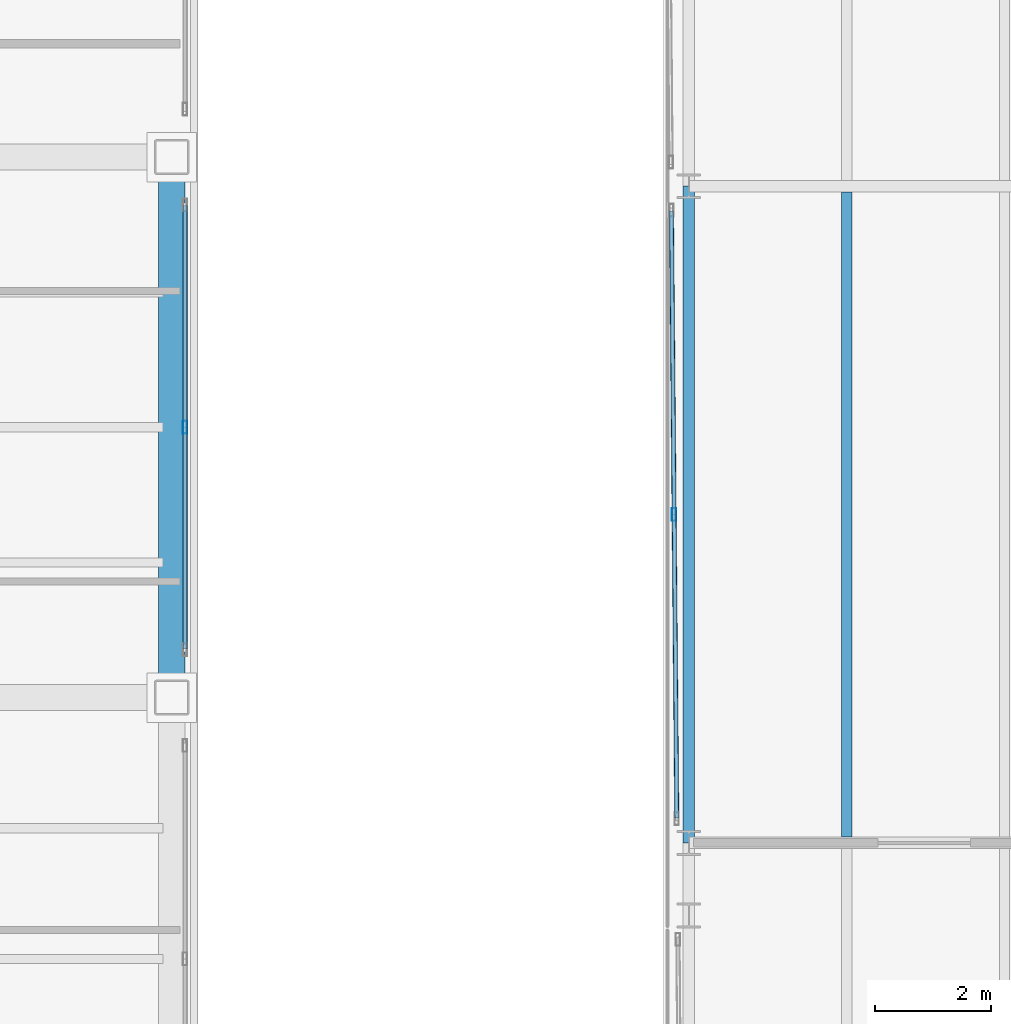
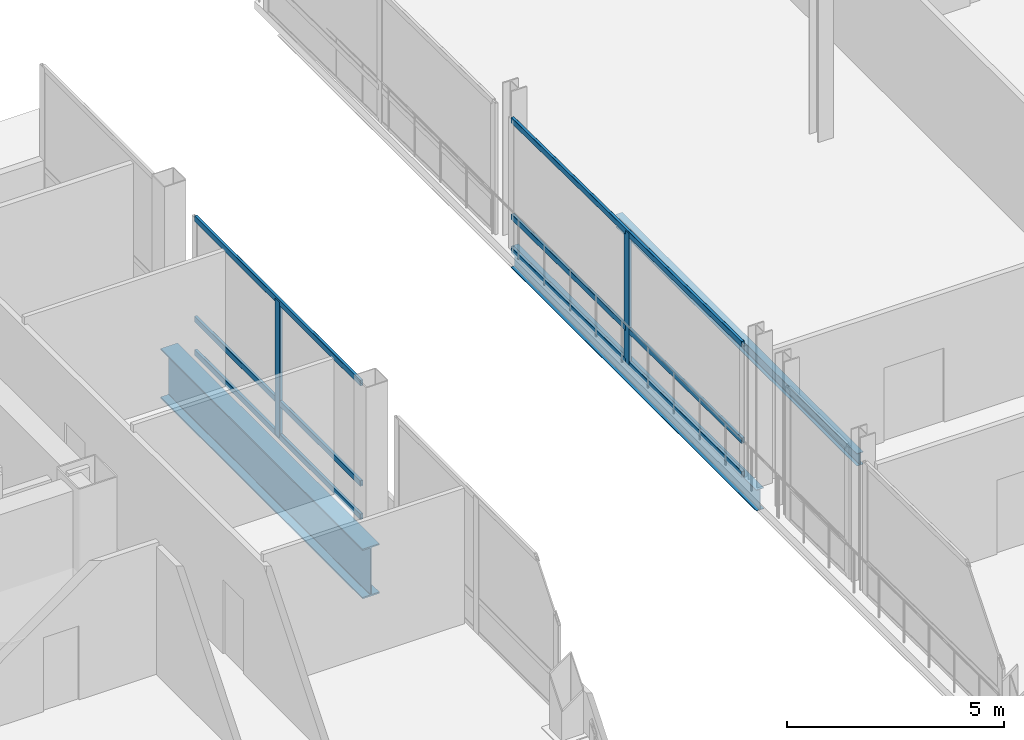
# One storey, part 16 of 34: 8 members, 3 beams, 2 elements without a shape of their own.
"""IFC4 building model written with IfcOpenShell, lengths in metres."""

from ifc_helpers import new_model, si_unit, direction, frame, origin, origin_2d, place, context, subcontext, project, spatial, hollow_rectangle, i_section, extrude, material, material_profile, profile_set, type_object, element, aggregate, save


model = new_model("IFC4")

# Units and contexts
model_context = context("Model", 3, precision=1e-05, world=origin(), true_north=direction((0.0, 1.0)))
body_context = subcontext(model_context, "Body", "Model", "MODEL_VIEW")
ifc_project = project(units=[si_unit("LENGTHUNIT", "METRE"), si_unit("AREAUNIT", "SQUARE_METRE"), si_unit("VOLUMEUNIT", "CUBIC_METRE"), si_unit("PLANEANGLEUNIT", "RADIAN"), si_unit("MASSUNIT", "GRAM", prefix="KILO")], contexts=[model_context])

# Site, building, storey
site_placement = place(None, origin())
site = spatial("IfcSite", under=ifc_project, at=site_placement, CompositionType="ELEMENT")
building_placement = place(site_placement, origin())
building = spatial("IfcBuilding", under=site, at=building_placement, Name="Noeulbin Bourse Tower", CompositionType="ELEMENT")
storey_placement = place(building_placement, frame((0.0, 0.0, 22.0)))
storey = spatial("IfcBuildingStorey", under=building, at=storey_placement, Name="L05", CompositionType="ELEMENT", Elevation=22.0)

# Beams
ifc_material_1 = material(Name="Steel S355", Category="steel")
ifc_material_profile_1 = material_profile(ifc_material_1, i_section(OverallWidth=0.199951171875, OverallDepth=0.60009765625, WebThickness=0.010986328125, FlangeThickness=0.01708984375, FilletRadius=0.02197265625, at=origin_2d()), Name="H-600x200x11x17", Category="LoadBearing")
ifc_profile_set_1 = profile_set([ifc_material_profile_1], Name="Steel S355")
beam_type_1 = type_object("IfcBeamType", Name="BM-GRD-600", PredefinedType="USERDEFINED", material=ifc_profile_set_1)
beam_1_placement = place(storey_placement, frame((60.449951171875, 26.5, -0.52001953125), z_axis=(0.0, 1.0, 0.0), x_axis=(-1.0, 0.0, 0.0)))
element("IfcBeam", 1, at=beam_1_placement, inside=storey, type_object=beam_type_1, Name="Market Hall Girder NS L05-13", ObjectType="GIRDER", PredefinedType="USERDEFINED", context=body_context, shape_type="SweptSolid", body=[
    extrude(i_section(OverallWidth=0.199951171875, OverallDepth=0.60009765625, WebThickness=0.010986328125, FlangeThickness=0.01708984375, FilletRadius=0.02197265625, at=origin_2d()), origin(), (0.0, 0.0, 1.0), 11.300048828125),
])
ifc_material_profile_2 = material_profile(ifc_material_1, i_section(OverallWidth=0.175048828125, OverallDepth=0.35009765625, WebThickness=0.007080078125, FlangeThickness=0.010986328125, FilletRadius=0.013916015625, at=origin_2d()), Name="H-350x175x7x11", Category="LoadBearing")
ifc_profile_set_2 = profile_set([ifc_material_profile_2], Name="Steel S355")
beam_type_2 = type_object("IfcBeamType", Name="BM-JST-350", PredefinedType="JOIST", material=ifc_profile_set_2)
beam_2_placement = place(storey_placement, frame((63.166748046875, 26.60009765625, -0.39501953125), z_axis=(0.0, 1.0, 0.0), x_axis=(-1.0, 0.0, 0.0)))
element("IfcBeam", 2, at=beam_2_placement, inside=storey, type_object=beam_type_2, Name="Market Hall Secondary Joist L05-03", PredefinedType="JOIST", context=body_context, shape_type="SweptSolid", body=[
    extrude(i_section(OverallWidth=0.175048828125, OverallDepth=0.35009765625, WebThickness=0.007080078125, FlangeThickness=0.010986328125, FilletRadius=0.013916015625, at=origin_2d()), origin(), (0.0, 0.0, 1.0), 11.099853515625),
])
ifc_material_2 = material(Name="Steel S460", Category="steel")
ifc_material_profile_3 = material_profile(ifc_material_2, i_section(OverallWidth=0.449951171875, OverallDepth=1.39990234375, WebThickness=0.02392578125, FlangeThickness=0.0400390625, FilletRadius=0.02392578125, at=origin_2d()), Name="PG-1400x450x24x40", Category="LoadBearing")
ifc_profile_set_3 = profile_set([ifc_material_profile_3], Name="Steel S460")
beam_type_3 = type_object("IfcBeamType", Name="BM-TRF-1400", PredefinedType="USERDEFINED", material=ifc_profile_set_3)
beam_3_placement = place(storey_placement, frame((51.550048828125, 29.0, -0.93994140625), z_axis=(0.0, 1.0, 0.0), x_axis=(-1.0, 0.0, 0.0)))
element("IfcBeam", 3, at=beam_3_placement, inside=storey, type_object=beam_type_3, Name="East Spandrel L05-2", ObjectType="GIRDER", PredefinedType="USERDEFINED", context=body_context, shape_type="SweptSolid", body=[
    extrude(i_section(OverallWidth=0.449951171875, OverallDepth=1.39990234375, WebThickness=0.02392578125, FlangeThickness=0.0400390625, FilletRadius=0.02392578125, at=origin_2d()), origin(), (0.0, 0.0, 1.0), 9.300048828125),
])

# Curtain wall, members
ifc_material_3 = material(Name="Laminated Clear Low-E Glass", Category="glass")
curtain_wall_type_1 = type_object("IfcCurtainWallType", Name="CW-SYS-1", PredefinedType="NOTDEFINED", material=ifc_material_3)
curtain_wall_1_placement = place(storey_placement, origin())
curtain_wall_1 = element("IfcCurtainWall", 4, at=curtain_wall_1_placement, inside=storey, type_object=curtain_wall_type_1, Name="Unitised Curtain Wall CW-L05-MKT-W-S4", PredefinedType="NOTDEFINED")
ifc_material_4 = material(Name="Anodised Aluminium 6063-T6", Category="aluminium")
ifc_material_profile_4 = material_profile(ifc_material_4, hollow_rectangle(XDim=0.074951171875, YDim=0.219970703125, WallThickness=0.0048828125, InnerFilletRadius=0.00244140625, OuterFilletRadius=0.0048828125, at=origin_2d()), Name="ALU-MULL-75x220x5", Category="LoadBearing")
ifc_profile_set_4 = profile_set([ifc_material_profile_4], Name="Anodised Aluminium 6063-T6")
member_type_1 = type_object("IfcMemberType", Name="CW-SYS-1-MUL", PredefinedType="MULLION", material=ifc_profile_set_4)
member_1_placement = place(storey_placement, frame((60.1953125, 32.14990234375, -0.02001953125), z_axis=(0.0, 0.0, 1.0), x_axis=(1.0, 0.0, 0.0)))
member_1 = element("IfcMember", 5, at=member_1_placement, type_object=member_type_1, Name="Curtain Wall Mullion CW-L05-MKT-W-S4-M01", PredefinedType="MULLION", context=body_context, shape_type="SweptSolid", body=[
    extrude(hollow_rectangle(XDim=0.074951171875, YDim=0.219970703125, WallThickness=0.0048828125, InnerFilletRadius=0.00244140625, OuterFilletRadius=0.0048828125, at=origin_2d()), origin(), (0.0, 0.0, 1.0), 3.7099609375),
])
ifc_material_profile_5 = material_profile(ifc_material_4, hollow_rectangle(XDim=0.074951171875, YDim=0.159912109375, WallThickness=0.0048828125, InnerFilletRadius=0.00244140625, OuterFilletRadius=0.0048828125, at=origin_2d()), Name="ALU-TRAN-75x160x5", Category="LoadBearing")
ifc_profile_set_5 = profile_set([ifc_material_profile_5], Name="Anodised Aluminium 6063-T6")
member_type_2 = type_object("IfcMemberType", Name="CW-SYS-1-TRN", PredefinedType="USERDEFINED", material=ifc_profile_set_5)
member_2_placement = place(storey_placement, frame((60.24169921875, 26.924072265625, 0.010009765625), z_axis=(-0.008852518025, 0.999960815695, 0.0), x_axis=(-0.999960815695, -0.008852518025, 0.0)))
member_2 = element("IfcMember", 6, at=member_2_placement, type_object=member_type_2, Name="Curtain Wall Transom CW-L05-MKT-W-S4-T00", ObjectType="TRANSOM", PredefinedType="USERDEFINED", context=body_context, shape_type="SweptSolid", body=[
    extrude(hollow_rectangle(XDim=0.074951171875, YDim=0.159912109375, WallThickness=0.0048828125, InnerFilletRadius=0.00244140625, OuterFilletRadius=0.0048828125, at=origin_2d()), origin(), (0.0, 0.0, 1.0), 10.452392578125),
])
member_3_placement = place(storey_placement, frame((60.24169921875, 26.924072265625, 0.949951171875), z_axis=(-0.008852518025, 0.999960815695, 0.0), x_axis=(-0.999960815695, -0.008852518025, 0.0)))
member_3 = element("IfcMember", 7, at=member_3_placement, type_object=member_type_2, Name="Curtain Wall Transom CW-L05-MKT-W-S4-T01", ObjectType="TRANSOM", PredefinedType="USERDEFINED", context=body_context, shape_type="SweptSolid", body=[
    extrude(hollow_rectangle(XDim=0.074951171875, YDim=0.159912109375, WallThickness=0.0048828125, InnerFilletRadius=0.00244140625, OuterFilletRadius=0.0048828125, at=origin_2d()), origin(), (0.0, 0.0, 1.0), 10.452392578125),
])
member_4_placement = place(storey_placement, frame((60.24169921875, 26.924072265625, 3.659912109375), z_axis=(-0.008852518025, 0.999960815695, 0.0), x_axis=(-0.999960815695, -0.008852518025, 0.0)))
member_4 = element("IfcMember", 8, at=member_4_placement, type_object=member_type_2, Name="Curtain Wall Transom CW-L05-MKT-W-S4-T02", ObjectType="TRANSOM", PredefinedType="USERDEFINED", context=body_context, shape_type="SweptSolid", body=[
    extrude(hollow_rectangle(XDim=0.074951171875, YDim=0.159912109375, WallThickness=0.0048828125, InnerFilletRadius=0.00244140625, OuterFilletRadius=0.0048828125, at=origin_2d()), origin(), (0.0, 0.0, 1.0), 10.452392578125),
])
aggregate(curtain_wall_1, [member_1, member_2, member_3, member_4])

ifc_material_5 = material(Name="Dark Solar-Control Double Glazing", Category="glass")
curtain_wall_type_2 = type_object("IfcCurtainWallType", Name="CW-SYS-2", PredefinedType="NOTDEFINED", material=ifc_material_5)
curtain_wall_2_placement = place(storey_placement, origin())
curtain_wall_2 = element("IfcCurtainWall", 9, at=curtain_wall_2_placement, inside=storey, type_object=curtain_wall_type_2, Name="Unitised Curtain Wall CW-L05-E-S3", PredefinedType="NOTDEFINED")
ifc_material_profile_6 = material_profile(ifc_material_4, hollow_rectangle(XDim=0.074951171875, YDim=0.219970703125, WallThickness=0.0048828125, InnerFilletRadius=0.00244140625, OuterFilletRadius=0.0048828125, at=origin_2d()), Name="ALU-MULL-75x220x5", Category="LoadBearing")
ifc_profile_set_6 = profile_set([ifc_material_profile_6], Name="Anodised Aluminium 6063-T6")
member_type_3 = type_object("IfcMemberType", Name="CW-SYS-2-MUL", PredefinedType="MULLION", material=ifc_profile_set_6)
member_5_placement = place(storey_placement, frame((51.780029296875, 33.64990234375, -0.02001953125), z_axis=(0.0, 0.0, 1.0), x_axis=(1.0, 0.0, 0.0)))
member_5 = element("IfcMember", 10, at=member_5_placement, type_object=member_type_3, Name="Curtain Wall Mullion CW-L05-E-S3-M01", PredefinedType="MULLION", context=body_context, shape_type="SweptSolid", body=[
    extrude(hollow_rectangle(XDim=0.074951171875, YDim=0.219970703125, WallThickness=0.0048828125, InnerFilletRadius=0.00244140625, OuterFilletRadius=0.0048828125, at=origin_2d()), origin(), (0.0, 0.0, 1.0), 3.820068359375),
])
ifc_material_profile_7 = material_profile(ifc_material_4, hollow_rectangle(XDim=0.074951171875, YDim=0.159912109375, WallThickness=0.0048828125, InnerFilletRadius=0.00244140625, OuterFilletRadius=0.0048828125, at=origin_2d()), Name="ALU-TRAN-75x160x5", Category="LoadBearing")
ifc_profile_set_7 = profile_set([ifc_material_profile_7], Name="Anodised Aluminium 6063-T6")
member_type_4 = type_object("IfcMemberType", Name="CW-SYS-2-TRN", PredefinedType="USERDEFINED", material=ifc_profile_set_7)
member_6_placement = place(storey_placement, frame((51.780029296875, 29.8349609375, 0.010009765625), z_axis=(0.0, 1.0, 0.0), x_axis=(-1.0, 0.0, 0.0)))
member_6 = element("IfcMember", 11, at=member_6_placement, type_object=member_type_4, Name="Curtain Wall Transom CW-L05-E-S3-T00", ObjectType="TRANSOM", PredefinedType="USERDEFINED", context=body_context, shape_type="SweptSolid", body=[
    extrude(hollow_rectangle(XDim=0.074951171875, YDim=0.159912109375, WallThickness=0.0048828125, InnerFilletRadius=0.00244140625, OuterFilletRadius=0.0048828125, at=origin_2d()), origin(), (0.0, 0.0, 1.0), 7.630126953125),
])
member_7_placement = place(storey_placement, frame((51.780029296875, 29.8349609375, 0.949951171875), z_axis=(0.0, 1.0, 0.0), x_axis=(-1.0, 0.0, 0.0)))
member_7 = element("IfcMember", 12, at=member_7_placement, type_object=member_type_4, Name="Curtain Wall Transom CW-L05-E-S3-T01", ObjectType="TRANSOM", PredefinedType="USERDEFINED", context=body_context, shape_type="SweptSolid", body=[
    extrude(hollow_rectangle(XDim=0.074951171875, YDim=0.159912109375, WallThickness=0.0048828125, InnerFilletRadius=0.00244140625, OuterFilletRadius=0.0048828125, at=origin_2d()), origin(), (0.0, 0.0, 1.0), 7.630126953125),
])
member_8_placement = place(storey_placement, frame((51.780029296875, 29.8349609375, 3.77001953125), z_axis=(0.0, 1.0, 0.0), x_axis=(-1.0, 0.0, 0.0)))
member_8 = element("IfcMember", 13, at=member_8_placement, type_object=member_type_4, Name="Curtain Wall Transom CW-L05-E-S3-T02", ObjectType="TRANSOM", PredefinedType="USERDEFINED", context=body_context, shape_type="SweptSolid", body=[
    extrude(hollow_rectangle(XDim=0.074951171875, YDim=0.159912109375, WallThickness=0.0048828125, InnerFilletRadius=0.00244140625, OuterFilletRadius=0.0048828125, at=origin_2d()), origin(), (0.0, 0.0, 1.0), 7.630126953125),
])
aggregate(curtain_wall_2, [member_5, member_6, member_7, member_8])

save(model, "model.ifc")
